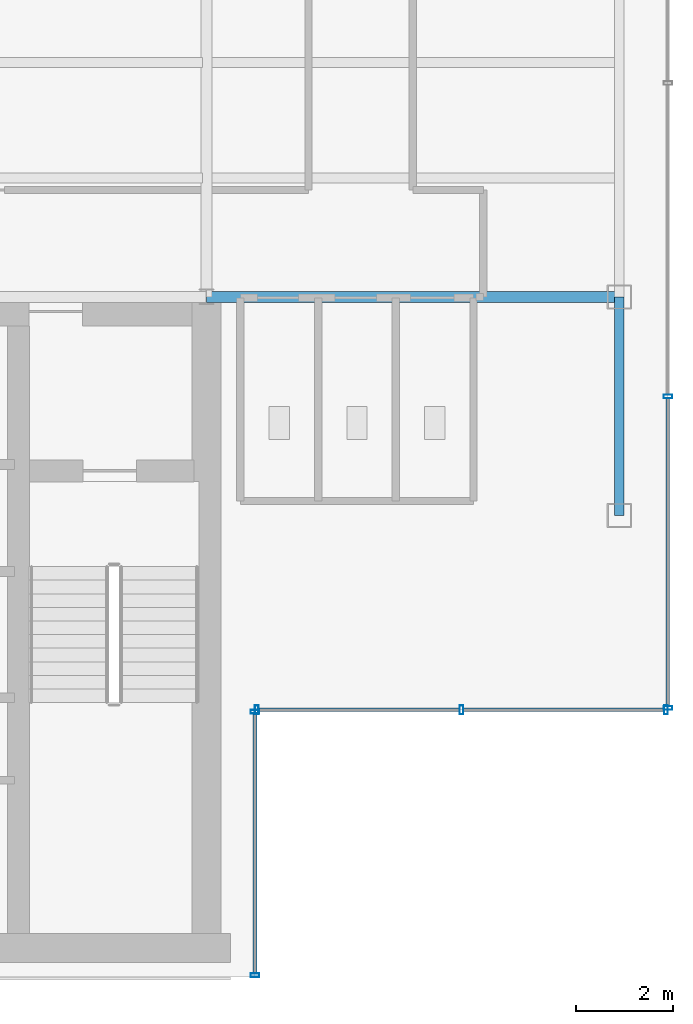
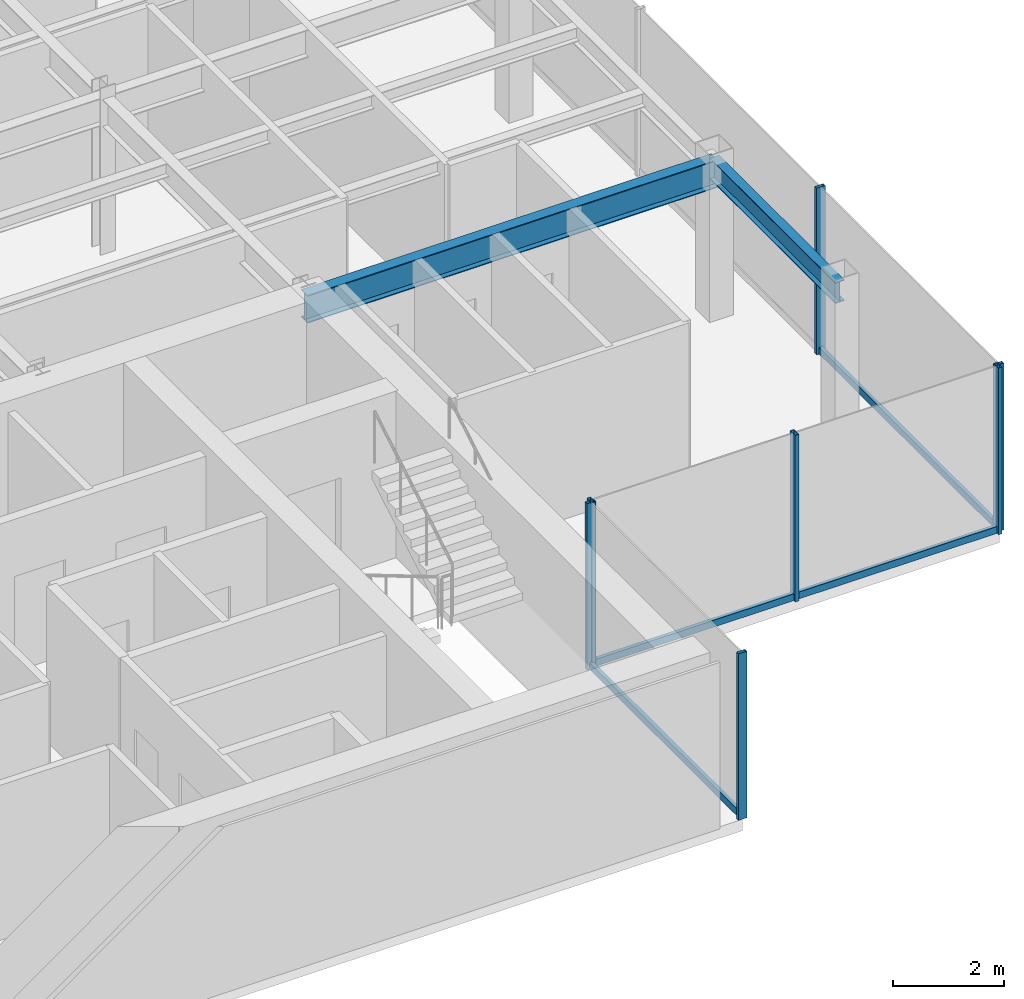
# One storey, part 9 of 22: 11 members, 2 beams, 3 elements without a shape of their own.
"""IFC4 building model written with IfcOpenShell, lengths in metres."""

from ifc_helpers import new_model, si_unit, derived_unit, direction, frame, origin, origin_2d, place, context, subcontext, project, spatial, hollow_rectangle, i_section, extrude, source, transform, mapped, material, material_profile, profile_set, type_object, element, aggregate, save


model = new_model("IFC4")

# Units and contexts
model_context = context("Model", 3, precision=1e-05, world=origin(), true_north=direction((0.0, 1.0)))
body_context = subcontext(model_context, "Body", "Model", "MODEL_VIEW")
ifc_project = project(units=[si_unit("LENGTHUNIT", "METRE"), si_unit("AREAUNIT", "SQUARE_METRE"), si_unit("VOLUMEUNIT", "CUBIC_METRE"), si_unit("PLANEANGLEUNIT", "RADIAN"), si_unit("MASSUNIT", "GRAM", prefix="KILO"), derived_unit("THERMALTRANSMITTANCEUNIT", [(si_unit("POWERUNIT", "WATT"), 1), (si_unit("LENGTHUNIT", "METRE"), -2), (si_unit("THERMODYNAMICTEMPERATUREUNIT", "KELVIN"), -1)])], contexts=[model_context])

# Site, building, storey
site_placement = place(None, origin())
site = spatial("IfcSite", under=ifc_project, at=site_placement, CompositionType="ELEMENT")
building_placement = place(site_placement, origin())
building = spatial("IfcBuilding", under=site, at=building_placement, Name="Skarnbrae Concourse Arena and Tower", CompositionType="ELEMENT")
storey_placement = place(building_placement, frame((0.0, 0.0, 273.39990234375)))
storey = spatial("IfcBuildingStorey", under=building, at=storey_placement, Name="L71", CompositionType="ELEMENT", Elevation=273.39990234375)

# Beams
ifc_material_1 = material(Name="Steel CSA G40.21 350W", Category="steel")
ifc_material_profile_1 = material_profile(ifc_material_1, i_section(OverallWidth=0.22802734375, OverallDepth=0.60791015625, WebThickness=0.01123046875, FlangeThickness=0.017333984375, at=origin_2d()), Name="W610X113")
ifc_profile_set_1 = profile_set([ifc_material_profile_1], Name="Steel CSA G40.21 350W")
beam_type_1 = type_object("IfcBeamType", Name="BM-GIRD-W610X113", PredefinedType="BEAM", material=ifc_profile_set_1)
shared_shape_1 = source(origin(), body_context, "Body", "SweptSolid", [
    extrude(i_section(OverallWidth=0.22802734375, OverallDepth=0.60791015625, WebThickness=0.01123046875, FlangeThickness=0.017333984375, at=origin_2d()), origin(), (0.0, 0.0, 1.0), 8.5),
])
beam_1_placement = place(storey_placement, frame((33.5, 14.0, 3.09619140625), z_axis=(1.0, 0.0, 0.0), x_axis=(0.0, 1.0, 0.0)))
element("IfcBeam", 1, at=beam_1_placement, inside=storey, type_object=beam_type_1, Name="L71 Primary E-W girder Y14.0-6", PredefinedType="BEAM", context=body_context, shape_type="MappedRepresentation", body=[
    mapped(shared_shape_1, transform((0.0, 0.0, 0.0))),
])
ifc_material_profile_2 = material_profile(ifc_material_1, i_section(OverallWidth=0.19091796875, OverallDepth=0.4599609375, WebThickness=0.010009765625, FlangeThickness=0.01611328125, at=origin_2d()), Name="W460X82")
ifc_profile_set_2 = profile_set([ifc_material_profile_2], Name="Steel CSA G40.21 350W")
beam_type_2 = type_object("IfcBeamType", Name="BM-SPAN-W460X82", PredefinedType="SPANDREL", material=ifc_profile_set_2)
shared_shape_2 = source(origin(), body_context, "Body", "SweptSolid", [
    extrude(i_section(OverallWidth=0.19091796875, OverallDepth=0.4599609375, WebThickness=0.010009765625, FlangeThickness=0.01611328125, at=origin_2d()), origin(), (0.0, 0.0, 1.0), 4.5),
])
beam_2_placement = place(storey_placement, frame((42.0, 9.5, 3.170166015625), z_axis=(0.0, 1.0, 0.0), x_axis=(-1.0, 0.0, 0.0)))
element("IfcBeam", 2, at=beam_2_placement, inside=storey, type_object=beam_type_2, Name="L71 Perimeter spandrel X42.0-1", PredefinedType="SPANDREL", context=body_context, shape_type="MappedRepresentation", body=[
    mapped(shared_shape_2, transform((0.0, 0.0, 0.0))),
])

# Curtain wall, member
ifc_material_2 = material(Name="Bronze anodised aluminium 6063-T6", Category="aluminium")
curtain_wall_type = type_object("IfcCurtainWallType", Name="CW-SYS-05-HIGHZONE", PredefinedType="USERDEFINED", material=ifc_material_2)
curtain_wall_1_placement = place(storey_placement, origin())
curtain_wall_1 = element("IfcCurtainWall", 3, at=curtain_wall_1_placement, inside=storey, type_object=curtain_wall_type, Name="L71 Unitised curtain wall CW-L71-E02", ObjectType="UNITISED CURTAIN WALL", PredefinedType="USERDEFINED")
ifc_material_profile_3 = material_profile(ifc_material_2, hollow_rectangle(XDim=0.074951171875, YDim=0.14990234375, WallThickness=0.00390625, at=origin_2d()), Name="ALU-TRAN-75X150")
ifc_profile_set_3 = profile_set([ifc_material_profile_3], Name="Bronze anodised aluminium 6063-T6")
member_type_1 = type_object("IfcMemberType", Name="CWT-CW-05", PredefinedType="USERDEFINED", material=ifc_profile_set_3)
shared_shape_3 = source(origin(), body_context, "Body", "SweptSolid", [
    extrude(hollow_rectangle(XDim=0.074951171875, YDim=0.14990234375, WallThickness=0.00390625, at=origin_2d()), origin(), (0.0, 0.0, 1.0), 5.35009765625),
])
member_1_placement = place(storey_placement, frame((34.5, 0.074951171875, 0.0751953125), z_axis=(0.0, 1.0, 0.0), x_axis=(-1.0, 0.0, 0.0)))
member_1 = element("IfcMember", 4, at=member_1_placement, type_object=member_type_1, Name="CW-L71-E02 Transom 1", ObjectType="TRANSOM", PredefinedType="USERDEFINED", context=body_context, shape_type="MappedRepresentation", body=[
    mapped(shared_shape_3, transform((0.0, 0.0, 0.0))),
])

# Curtain wall, members
curtain_wall_2_placement = place(storey_placement, origin())
curtain_wall_2 = element("IfcCurtainWall", 5, at=curtain_wall_2_placement, inside=storey, type_object=curtain_wall_type, Name="L71 Unitised curtain wall CW-L71-E03", ObjectType="UNITISED CURTAIN WALL", PredefinedType="USERDEFINED")
shared_shape_4 = source(origin(), body_context, "Body", "SweptSolid", [
    extrude(hollow_rectangle(XDim=0.074951171875, YDim=0.14990234375, WallThickness=0.00390625, at=origin_2d()), origin(), (0.0, 0.0, 1.0), 4.137451171875),
])
member_2_placement = place(storey_placement, frame((34.574951171875, 5.5, 0.0751953125), z_axis=(1.0, 0.0, 0.0), x_axis=(0.0, 1.0, 0.0)))
member_2 = element("IfcMember", 6, at=member_2_placement, type_object=member_type_1, Name="CW-L71-E03 Transom 1", ObjectType="TRANSOM", PredefinedType="USERDEFINED", context=body_context, shape_type="MappedRepresentation", body=[
    mapped(shared_shape_4, transform((0.0, 0.0, 0.0))),
])
member_3_placement = place(storey_placement, frame((38.78759765625, 5.5, 0.0751953125), z_axis=(1.0, 0.0, 0.0), x_axis=(0.0, 1.0, 0.0)))
member_3 = element("IfcMember", 7, at=member_3_placement, type_object=member_type_1, Name="CW-L71-E03 Transom 2", ObjectType="TRANSOM", PredefinedType="USERDEFINED", context=body_context, shape_type="MappedRepresentation", body=[
    mapped(shared_shape_4, transform((0.0, 0.0, 0.0))),
])

# Curtain wall, member
curtain_wall_3_placement = place(storey_placement, origin())
curtain_wall_3 = element("IfcCurtainWall", 8, at=curtain_wall_3_placement, inside=storey, type_object=curtain_wall_type, Name="L71 Unitised curtain wall CW-L71-E04", ObjectType="UNITISED CURTAIN WALL", PredefinedType="USERDEFINED")
shared_shape_5 = source(origin(), body_context, "Body", "SweptSolid", [
    extrude(hollow_rectangle(XDim=0.074951171875, YDim=0.14990234375, WallThickness=0.00390625, at=origin_2d()), origin(), (0.0, 0.0, 1.0), 6.337646484375),
])
member_4_placement = place(storey_placement, frame((43.0, 5.574951171875, 0.0751953125), z_axis=(0.0, 1.0, 0.0), x_axis=(-1.0, 0.0, 0.0)))
member_4 = element("IfcMember", 9, at=member_4_placement, type_object=member_type_1, Name="CW-L71-E04 Transom 1", ObjectType="TRANSOM", PredefinedType="USERDEFINED", context=body_context, shape_type="MappedRepresentation", body=[
    mapped(shared_shape_5, transform((0.0, 0.0, 0.0))),
])

# Member
ifc_material_profile_4 = material_profile(ifc_material_2, hollow_rectangle(XDim=0.074951171875, YDim=0.179931640625, WallThickness=0.00390625, at=origin_2d()), Name="ALU-MULL-75X180")
ifc_profile_set_4 = profile_set([ifc_material_profile_4], Name="Bronze anodised aluminium 6063-T6")
member_type_2 = type_object("IfcMemberType", Name="CWM-CW-05", PredefinedType="MULLION", material=ifc_profile_set_4)
shared_shape_6 = source(origin(), body_context, "Body", "SweptSolid", [
    extrude(hollow_rectangle(XDim=0.074951171875, YDim=0.179931640625, WallThickness=0.00390625, at=origin_2d()), origin(), (0.0, 0.0, 1.0), 3.650146484375),
])
member_5_placement = place(storey_placement, frame((34.5, 0.03759765625, 0.0), z_axis=(0.0, 0.0, 1.0), x_axis=(0.0, 1.0, 0.0)))
member_5 = element("IfcMember", 10, at=member_5_placement, type_object=member_type_2, Name="CW-L71-E02 Mullion 1", PredefinedType="MULLION", context=body_context, shape_type="MappedRepresentation", body=[
    mapped(shared_shape_6, transform((0.0, 0.0, 0.0))),
])

member_6_placement = place(storey_placement, frame((34.5, 5.46240234375, 0.0), z_axis=(0.0, 0.0, 1.0), x_axis=(0.0, 1.0, 0.0)))
member_6 = element("IfcMember", 11, at=member_6_placement, type_object=member_type_2, Name="CW-L71-E02 Mullion 2", PredefinedType="MULLION", context=body_context, shape_type="MappedRepresentation", body=[
    mapped(shared_shape_6, transform((0.0, 0.0, 0.0))),
])

aggregate(curtain_wall_1, [member_5, member_6, member_1])

member_7_placement = place(storey_placement, frame((34.53759765625, 5.5, 0.0), z_axis=(0.0, 0.0, 1.0), x_axis=(1.0, 0.0, 0.0)))
member_7 = element("IfcMember", 12, at=member_7_placement, type_object=member_type_2, Name="CW-L71-E03 Mullion 1", PredefinedType="MULLION", context=body_context, shape_type="MappedRepresentation", body=[
    mapped(shared_shape_6, transform((0.0, 0.0, 0.0))),
])

member_8_placement = place(storey_placement, frame((38.75, 5.5, 0.0), z_axis=(0.0, 0.0, 1.0), x_axis=(1.0, 0.0, 0.0)))
member_8 = element("IfcMember", 13, at=member_8_placement, type_object=member_type_2, Name="CW-L71-E03 Mullion 2", PredefinedType="MULLION", context=body_context, shape_type="MappedRepresentation", body=[
    mapped(shared_shape_6, transform((0.0, 0.0, 0.0))),
])

member_9_placement = place(storey_placement, frame((42.96240234375, 5.5, 0.0), z_axis=(0.0, 0.0, 1.0), x_axis=(1.0, 0.0, 0.0)))
member_9 = element("IfcMember", 14, at=member_9_placement, type_object=member_type_2, Name="CW-L71-E03 Mullion 3", PredefinedType="MULLION", context=body_context, shape_type="MappedRepresentation", body=[
    mapped(shared_shape_6, transform((0.0, 0.0, 0.0))),
])

aggregate(curtain_wall_2, [member_7, member_8, member_9, member_2, member_3])

member_10_placement = place(storey_placement, frame((43.0, 5.53759765625, 0.0), z_axis=(0.0, 0.0, 1.0), x_axis=(0.0, 1.0, 0.0)))
member_10 = element("IfcMember", 15, at=member_10_placement, type_object=member_type_2, Name="CW-L71-E04 Mullion 1", PredefinedType="MULLION", context=body_context, shape_type="MappedRepresentation", body=[
    mapped(shared_shape_6, transform((0.0, 0.0, 0.0))),
])

member_11_placement = place(storey_placement, frame((43.0, 11.949951171875, 0.0), z_axis=(0.0, 0.0, 1.0), x_axis=(0.0, 1.0, 0.0)))
member_11 = element("IfcMember", 16, at=member_11_placement, type_object=member_type_2, Name="CW-L71-E04 Mullion 2", PredefinedType="MULLION", context=body_context, shape_type="MappedRepresentation", body=[
    mapped(shared_shape_6, transform((0.0, 0.0, 0.0))),
])

aggregate(curtain_wall_3, [member_10, member_11, member_4])

save(model, "model.ifc")
